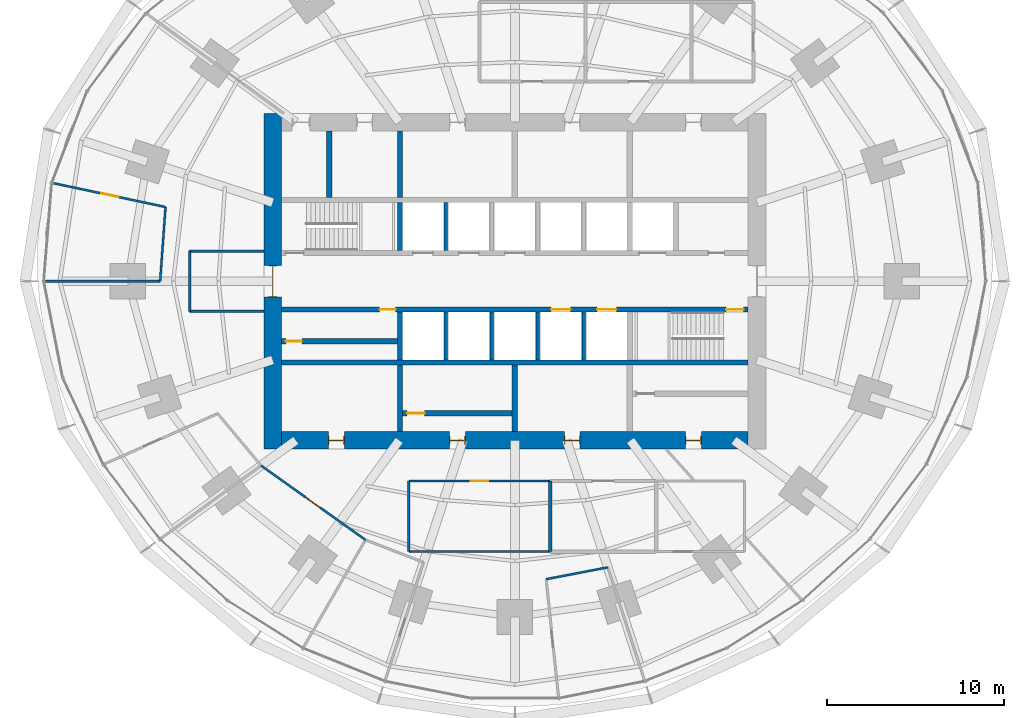
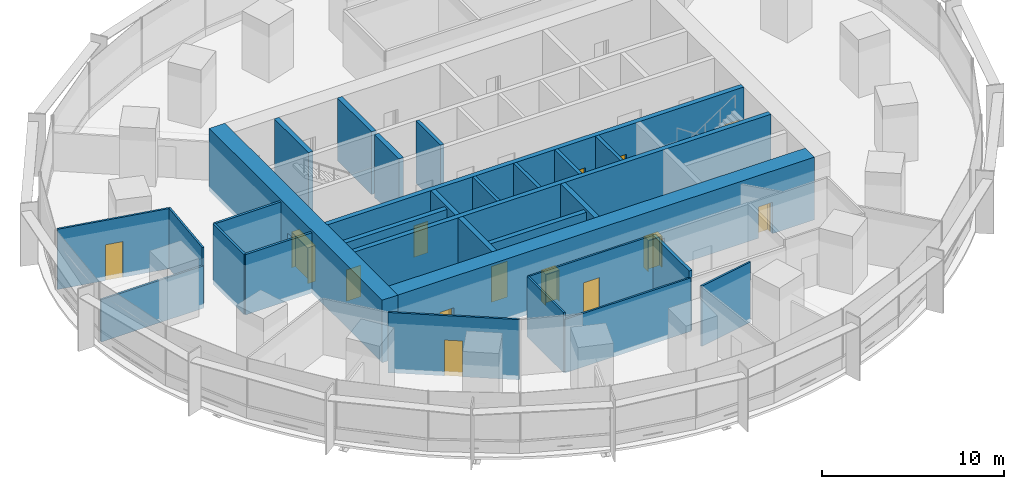
# One storey, part 11 of 15: 29 walls, 14 doors, 14 openings.
"""IFC4 building model written with IfcOpenShell, lengths in metres."""

from ifc_helpers import new_model, si_unit, direction, frame, frame_2d, origin, place, context, subcontext, project, spatial, rectangle, extrude, material, layer, layer_set, type_object, element, fill, save


model = new_model("IFC4")

# Units and contexts
model_context = context("Model", 3, precision=1e-05, world=origin(), true_north=direction((0.0, 1.0)))
body_context = subcontext(model_context, "Body", "Model", "MODEL_VIEW")
ifc_project = project(units=[si_unit("LENGTHUNIT", "METRE"), si_unit("AREAUNIT", "SQUARE_METRE"), si_unit("VOLUMEUNIT", "CUBIC_METRE"), si_unit("PLANEANGLEUNIT", "RADIAN"), si_unit("MASSUNIT", "GRAM", prefix="KILO")], contexts=[model_context])

# Site, building, storey
site_placement = place(None, origin())
site = spatial("IfcSite", under=ifc_project, at=site_placement, CompositionType="ELEMENT")
building_placement = place(site_placement, origin())
building = spatial("IfcBuilding", under=site, at=building_placement, Name="Marramba Exchange Tower", CompositionType="ELEMENT")
storey_placement = place(building_placement, frame((0.0, 0.0, 57.39990234375)))
storey = spatial("IfcBuildingStorey", under=building, at=storey_placement, Name="L13", CompositionType="ELEMENT", Elevation=57.39990234375)

# Walls
ifc_material_1 = material(Name="Concrete N50", Category="concrete")
ifc_layer_1 = layer(ifc_material_1, 0.199951171875)
ifc_layer_set_1 = layer_set([ifc_layer_1], Name="Core shaft wall 200")
wall_type_1 = type_object("IfcWallType", Name="Core shaft wall 200", PredefinedType="SHEAR", material=ifc_layer_set_1)
for number, where, z_axis, x_axis, name in (
    (1, (-3.89990234375, 1.75, 0.0), (0.0, 0.0, 1.0), (0.0, 1.0, 0.0), "Core wall SHN1 L13"),
    (2, (-3.89990234375, -1.75, 0.0), (0.0, 0.0, 1.0), (0.0, -1.0, 0.0), "Core wall SHS1 L13"),
    (3, (-1.300048828125, -1.75, 0.0), (0.0, 0.0, 1.0), (0.0, -1.0, 0.0), "Core wall SHS2 L13"),
    (4, (1.300048828125, -1.75, 0.0), (0.0, 0.0, 1.0), (0.0, -1.0, 0.0), "Core wall SHS3 L13"),
    (5, (3.89990234375, -1.75, 0.0), (0.0, 0.0, 1.0), (0.0, -1.0, 0.0), "Core wall SHS4 L13"),
):
    element("IfcWall", number, at=place(storey_placement, frame(where, z_axis=z_axis, x_axis=x_axis)), inside=storey, type_object=wall_type_1, Name=name, PredefinedType="SHEAR", context=body_context, shape_type="SweptSolid", body=[
        extrude(rectangle(XDim=2.699951171875, YDim=0.199951171875, at=frame_2d((1.35009765625, 0.0))), origin(), (0.0, 0.0, 1.0), 4.2001953125),
    ])

# Wall, openings, doors
ifc_layer_2 = layer(ifc_material_1, 1.0)
ifc_layer_set_2 = layer_set([ifc_layer_2], Name="Core wall 1000")
wall_type_2 = type_object("IfcWallType", Name="Core wall 1000", PredefinedType="SHEAR", material=ifc_layer_set_2)
wall_1_placement = place(storey_placement, frame((-13.199951171875, -9.0, 0.0), z_axis=(0.0, 0.0, 1.0), x_axis=(1.0, 0.0, 0.0)))
wall_1 = element("IfcWall", 6, at=wall_1_placement, inside=storey, type_object=wall_type_2, Name="Core wall S L13", PredefinedType="SHEAR", context=body_context, shape_type="SweptSolid", body=[
    extrude(rectangle(XDim=26.39990234375, YDim=1.0, at=frame_2d((13.199951171875, 0.0))), origin(), (0.0, 0.0, 1.0), 4.2001953125),
])
opening_1_placement = place(wall_1_placement, frame((2.64990234375, 0.0, 0.0)))
opening_1 = element("IfcOpeningElement", 7, at=opening_1_placement, cuts=wall_1, Name="Opening D5", PredefinedType="OPENING", context=body_context, shape_type="SweptSolid", body=[
    extrude(rectangle(XDim=0.89990234375, YDim=2.10009765625, at=frame_2d((0.449951171875, 1.050048828125))), frame((0.0, 0.510009765625, 0.0), z_axis=(0.0, -1.0, 0.0), x_axis=(1.0, 0.0, 0.0)), (0.0, 0.0, 1.0), 1.02001953125),
])
opening_2_placement = place(wall_1_placement, frame((9.5, 0.0, 0.0)))
opening_2 = element("IfcOpeningElement", 8, at=opening_2_placement, cuts=wall_1, Name="Opening D5", PredefinedType="OPENING", context=body_context, shape_type="SweptSolid", body=[
    extrude(rectangle(XDim=0.89990234375, YDim=2.10009765625, at=frame_2d((0.449951171875, 1.050048828125))), frame((0.0, 0.510009765625, 0.0), z_axis=(0.0, -1.0, 0.0), x_axis=(1.0, 0.0, 0.0)), (0.0, 0.0, 1.0), 1.02001953125),
])
opening_3_placement = place(wall_1_placement, frame((16.0, 0.0, 0.0)))
opening_3 = element("IfcOpeningElement", 9, at=opening_3_placement, cuts=wall_1, Name="Opening D5", PredefinedType="OPENING", context=body_context, shape_type="SweptSolid", body=[
    extrude(rectangle(XDim=0.89990234375, YDim=2.10009765625, at=frame_2d((0.449951171875, 1.050048828125))), frame((0.0, 0.510009765625, 0.0), z_axis=(0.0, -1.0, 0.0), x_axis=(1.0, 0.0, 0.0)), (0.0, 0.0, 1.0), 1.02001953125),
])
opening_4_placement = place(wall_1_placement, frame((22.85009765625, 0.0, 0.0)))
opening_4 = element("IfcOpeningElement", 10, at=opening_4_placement, cuts=wall_1, Name="Opening D5", PredefinedType="OPENING", context=body_context, shape_type="SweptSolid", body=[
    extrude(rectangle(XDim=0.89990234375, YDim=2.10009765625, at=frame_2d((0.449951171875, 1.050048828125))), frame((0.0, 0.510009765625, 0.0), z_axis=(0.0, -1.0, 0.0), x_axis=(1.0, 0.0, 0.0)), (0.0, 0.0, 1.0), 1.02001953125),
])
ifc_material_2 = material(Name="Steel-framed door", Category="steel")
door_type_1 = type_object("IfcDoorType", Name="Service door 900x2100", OperationType="SINGLE_SWING_LEFT", PredefinedType="DOOR", material=ifc_material_2)
door_1_placement = place(opening_1_placement, origin())
door_1 = element("IfcDoor", 11, at=door_1_placement, inside=storey, type_object=door_type_1, Name="D5 ahu L13", OperationType="SINGLE_SWING_LEFT", OverallHeight=2.10009765625, OverallWidth=0.89990234375, PredefinedType="DOOR", context=body_context, shape_type="SweptSolid", body=[
    extrude(rectangle(XDim=0.81982421875, YDim=2.06005859375, at=frame_2d((0.449951171875, 1.030029296875))), frame((0.0, 0.02490234375, 0.0), z_axis=(0.0, -1.0, 0.0), x_axis=(1.0, 0.0, 0.0)), (0.0, 0.0, 1.0), 0.050048828125),
    extrude(rectangle(XDim=0.04, YDim=2.10009765625, at=frame_2d((0.02001953125, 1.050048828125))), frame((0.0, 0.25, 0.0), z_axis=(0.0, -1.0, 0.0), x_axis=(1.0, 0.0, 0.0)), (0.0, 0.0, 1.0), 0.5),
    extrude(rectangle(XDim=0.04, YDim=2.10009765625, at=frame_2d((0.8798828125, 1.050048828125))), frame((0.0, 0.25, 0.0), z_axis=(0.0, -1.0, 0.0), x_axis=(1.0, 0.0, 0.0)), (0.0, 0.0, 1.0), 0.5),
    extrude(rectangle(XDim=0.81982421875, YDim=0.04, at=frame_2d((0.449951171875, 2.080078125))), frame((0.0, 0.25, 0.0), z_axis=(0.0, -1.0, 0.0), x_axis=(1.0, 0.0, 0.0)), (0.0, 0.0, 1.0), 0.5),
])
fill(opening_1, door_1)
door_2_placement = place(opening_2_placement, origin())
door_2 = element("IfcDoor", 12, at=door_2_placement, inside=storey, type_object=door_type_1, Name="D5 store L13", OperationType="SINGLE_SWING_RIGHT", OverallHeight=2.10009765625, OverallWidth=0.89990234375, PredefinedType="DOOR", context=body_context, shape_type="SweptSolid", body=[
    extrude(rectangle(XDim=0.81982421875, YDim=2.06005859375, at=frame_2d((0.449951171875, 1.030029296875))), frame((0.0, 0.02490234375, 0.0), z_axis=(0.0, -1.0, 0.0), x_axis=(1.0, 0.0, 0.0)), (0.0, 0.0, 1.0), 0.050048828125),
    extrude(rectangle(XDim=0.04, YDim=2.10009765625, at=frame_2d((0.02001953125, 1.050048828125))), frame((0.0, 0.25, 0.0), z_axis=(0.0, -1.0, 0.0), x_axis=(1.0, 0.0, 0.0)), (0.0, 0.0, 1.0), 0.5),
    extrude(rectangle(XDim=0.04, YDim=2.10009765625, at=frame_2d((0.8798828125, 1.050048828125))), frame((0.0, 0.25, 0.0), z_axis=(0.0, -1.0, 0.0), x_axis=(1.0, 0.0, 0.0)), (0.0, 0.0, 1.0), 0.5),
    extrude(rectangle(XDim=0.81982421875, YDim=0.04, at=frame_2d((0.449951171875, 2.080078125))), frame((0.0, 0.25, 0.0), z_axis=(0.0, -1.0, 0.0), x_axis=(1.0, 0.0, 0.0)), (0.0, 0.0, 1.0), 0.5),
])
fill(opening_2, door_2)
door_3_placement = place(opening_3_placement, origin())
door_3 = element("IfcDoor", 13, at=door_3_placement, inside=storey, type_object=door_type_1, Name="D5 switch L13", OperationType="SINGLE_SWING_RIGHT", OverallHeight=2.10009765625, OverallWidth=0.89990234375, PredefinedType="DOOR", context=body_context, shape_type="SweptSolid", body=[
    extrude(rectangle(XDim=0.81982421875, YDim=2.06005859375, at=frame_2d((0.449951171875, 1.030029296875))), frame((0.0, 0.02490234375, 0.0), z_axis=(0.0, -1.0, 0.0), x_axis=(1.0, 0.0, 0.0)), (0.0, 0.0, 1.0), 0.050048828125),
    extrude(rectangle(XDim=0.04, YDim=2.10009765625, at=frame_2d((0.02001953125, 1.050048828125))), frame((0.0, 0.25, 0.0), z_axis=(0.0, -1.0, 0.0), x_axis=(1.0, 0.0, 0.0)), (0.0, 0.0, 1.0), 0.5),
    extrude(rectangle(XDim=0.04, YDim=2.10009765625, at=frame_2d((0.8798828125, 1.050048828125))), frame((0.0, 0.25, 0.0), z_axis=(0.0, -1.0, 0.0), x_axis=(1.0, 0.0, 0.0)), (0.0, 0.0, 1.0), 0.5),
    extrude(rectangle(XDim=0.81982421875, YDim=0.04, at=frame_2d((0.449951171875, 2.080078125))), frame((0.0, 0.25, 0.0), z_axis=(0.0, -1.0, 0.0), x_axis=(1.0, 0.0, 0.0)), (0.0, 0.0, 1.0), 0.5),
])
fill(opening_3, door_3)
door_4_placement = place(opening_4_placement, origin())
door_4 = element("IfcDoor", 14, at=door_4_placement, inside=storey, type_object=door_type_1, Name="D5 cstore L13", OperationType="SINGLE_SWING_RIGHT", OverallHeight=2.10009765625, OverallWidth=0.89990234375, PredefinedType="DOOR", context=body_context, shape_type="SweptSolid", body=[
    extrude(rectangle(XDim=0.81982421875, YDim=2.06005859375, at=frame_2d((0.449951171875, 1.030029296875))), frame((0.0, 0.02490234375, 0.0), z_axis=(0.0, -1.0, 0.0), x_axis=(1.0, 0.0, 0.0)), (0.0, 0.0, 1.0), 0.050048828125),
    extrude(rectangle(XDim=0.04, YDim=2.10009765625, at=frame_2d((0.02001953125, 1.050048828125))), frame((0.0, 0.25, 0.0), z_axis=(0.0, -1.0, 0.0), x_axis=(1.0, 0.0, 0.0)), (0.0, 0.0, 1.0), 0.5),
    extrude(rectangle(XDim=0.04, YDim=2.10009765625, at=frame_2d((0.8798828125, 1.050048828125))), frame((0.0, 0.25, 0.0), z_axis=(0.0, -1.0, 0.0), x_axis=(1.0, 0.0, 0.0)), (0.0, 0.0, 1.0), 0.5),
    extrude(rectangle(XDim=0.81982421875, YDim=0.04, at=frame_2d((0.449951171875, 2.080078125))), frame((0.0, 0.25, 0.0), z_axis=(0.0, -1.0, 0.0), x_axis=(1.0, 0.0, 0.0)), (0.0, 0.0, 1.0), 0.5),
])
fill(opening_4, door_4)

# Wall, opening, door
wall_2_placement = place(storey_placement, frame((-13.699951171875, 9.5, 0.0), z_axis=(0.0, 0.0, 1.0), x_axis=(0.0, -1.0, 0.0)))
wall_2 = element("IfcWall", 15, at=wall_2_placement, inside=storey, type_object=wall_type_2, Name="Core wall W L13", PredefinedType="SHEAR", context=body_context, shape_type="SweptSolid", body=[
    extrude(rectangle(XDim=19.0, YDim=1.0, at=frame_2d((9.5, 0.0))), origin(), (0.0, 0.0, 1.0), 4.2001953125),
])
opening_5_placement = place(wall_2_placement, frame((8.60009765625, 0.0, 0.0)))
opening_5 = element("IfcOpeningElement", 16, at=opening_5_placement, cuts=wall_2, Name="Opening D1", PredefinedType="OPENING", context=body_context, shape_type="SweptSolid", body=[
    extrude(rectangle(XDim=1.800048828125, YDim=2.39990234375, at=frame_2d((0.89990234375, 1.199951171875))), frame((0.0, 0.510009765625, 0.0), z_axis=(0.0, -1.0, 0.0), x_axis=(1.0, 0.0, 0.0)), (0.0, 0.0, 1.0), 1.02001953125),
])
door_type_2 = type_object("IfcDoorType", Name="Lobby exit door 1800x2400", OperationType="DOUBLE_DOOR_SINGLE_SWING", PredefinedType="DOOR", material=ifc_material_2)
door_5_placement = place(opening_5_placement, frame((1.800048828125, 0.0, 0.0), z_axis=(0.0, 0.0, 1.0), x_axis=(-1.0, 0.0, 0.0)))
door_5 = element("IfcDoor", 17, at=door_5_placement, inside=storey, type_object=door_type_2, Name="D1 lobby exit west L13", OperationType="DOUBLE_DOOR_SINGLE_SWING", OverallHeight=2.39990234375, OverallWidth=1.800048828125, PredefinedType="DOOR", context=body_context, shape_type="SweptSolid", body=[
    extrude(rectangle(XDim=1.719970703125, YDim=2.35986328125, at=frame_2d((0.900146484375, 1.179931640625))), frame((0.0, 0.025146484375, 0.0), z_axis=(0.0, -1.0, 0.0), x_axis=(1.0, 0.0, 0.0)), (0.0, 0.0, 1.0), 0.050048828125),
    extrude(rectangle(XDim=0.04, YDim=2.39990234375, at=frame_2d((1.780029296875, 1.199951171875))), frame((0.0, 0.25, 0.0), z_axis=(0.0, -1.0, 0.0), x_axis=(1.0, 0.0, 0.0)), (0.0, 0.0, 1.0), 0.5),
    extrude(rectangle(XDim=0.04, YDim=2.39990234375, at=frame_2d((0.02001953125, 1.199951171875))), frame((0.0, 0.25, 0.0), z_axis=(0.0, -1.0, 0.0), x_axis=(1.0, 0.0, 0.0)), (0.0, 0.0, 1.0), 0.5),
    extrude(rectangle(XDim=1.719970703125, YDim=0.04, at=frame_2d((0.900146484375, 2.3798828125))), frame((0.0, 0.25, 0.0), z_axis=(0.0, -1.0, 0.0), x_axis=(1.0, 0.0, 0.0)), (0.0, 0.0, 1.0), 0.5),
])
fill(opening_5, door_5)

# Wall, openings, doors
ifc_layer_3 = layer(ifc_material_1, 0.300048828125)
ifc_layer_set_3 = layer_set([ifc_layer_3], Name="Core wall 300")
wall_type_3 = type_object("IfcWallType", Name="Core wall 300", PredefinedType="SHEAR", material=ifc_layer_set_3)
wall_3_placement = place(storey_placement, frame((-13.199951171875, -1.60009765625, 0.0), z_axis=(0.0, 0.0, 1.0), x_axis=(1.0, 0.0, 0.0)))
wall_3 = element("IfcWall", 18, at=wall_3_placement, inside=storey, type_object=wall_type_3, Name="Core wall LS L13", PredefinedType="SHEAR", context=body_context, shape_type="SweptSolid", body=[
    extrude(rectangle(XDim=26.39990234375, YDim=0.300048828125, at=frame_2d((13.199951171875, 0.0))), origin(), (0.0, 0.0, 1.0), 4.2001953125),
])
opening_6_placement = place(wall_3_placement, frame((25.14990234375, 0.0, 0.0)))
opening_6 = element("IfcOpeningElement", 19, at=opening_6_placement, cuts=wall_3, Name="Opening D2", PredefinedType="OPENING", context=body_context, shape_type="SweptSolid", body=[
    extrude(rectangle(XDim=1.0, YDim=2.10009765625, at=frame_2d((0.5, 1.050048828125))), frame((0.0, 0.159912109375, 0.0), z_axis=(0.0, -1.0, 0.0), x_axis=(1.0, 0.0, 0.0)), (0.0, 0.0, 1.0), 0.320068359375),
])
opening_7_placement = place(wall_3_placement, frame((15.25, 0.0, 0.0)))
opening_7 = element("IfcOpeningElement", 20, at=opening_7_placement, cuts=wall_3, Name="Opening LD2", PredefinedType="OPENING", context=body_context, shape_type="SweptSolid", body=[
    extrude(rectangle(XDim=1.10009765625, YDim=2.300048828125, at=frame_2d((0.550048828125, 1.14990234375))), frame((0.0, 0.159912109375, 0.0), z_axis=(0.0, -1.0, 0.0), x_axis=(1.0, 0.0, 0.0)), (0.0, 0.0, 1.0), 0.320068359375),
])
opening_8_placement = place(wall_3_placement, frame((17.85009765625, 0.0, 0.0)))
opening_8 = element("IfcOpeningElement", 21, at=opening_8_placement, cuts=wall_3, Name="Opening LD2", PredefinedType="OPENING", context=body_context, shape_type="SweptSolid", body=[
    extrude(rectangle(XDim=1.10009765625, YDim=2.300048828125, at=frame_2d((0.550048828125, 1.14990234375))), frame((0.0, 0.159912109375, 0.0), z_axis=(0.0, -1.0, 0.0), x_axis=(1.0, 0.0, 0.0)), (0.0, 0.0, 1.0), 0.320068359375),
])
opening_9_placement = place(wall_3_placement, frame((5.550048828125, 0.0, 0.0)))
opening_9 = element("IfcOpeningElement", 22, at=opening_9_placement, cuts=wall_3, Name="Opening D5", PredefinedType="OPENING", context=body_context, shape_type="SweptSolid", body=[
    extrude(rectangle(XDim=0.89990234375, YDim=2.10009765625, at=frame_2d((0.449951171875, 1.050048828125))), frame((0.0, 0.159912109375, 0.0), z_axis=(0.0, -1.0, 0.0), x_axis=(1.0, 0.0, 0.0)), (0.0, 0.0, 1.0), 0.320068359375),
])
door_type_3 = type_object("IfcDoorType", Name="Emergency lift landing door 1100x2300", OperationType="SLIDING_TO_LEFT", PredefinedType="DOOR", material=ifc_material_2)
door_6_placement = place(opening_7_placement, frame((1.10009765625, 0.0, 0.0), z_axis=(0.0, 0.0, 1.0), x_axis=(-1.0, 0.0, 0.0)))
door_6 = element("IfcDoor", 23, at=door_6_placement, inside=storey, type_object=door_type_3, Name="FL1 landing door L13", OperationType="SLIDING_TO_RIGHT", OverallHeight=2.300048828125, OverallWidth=1.10009765625, PredefinedType="DOOR", context=body_context, shape_type="SweptSolid", body=[
    extrude(rectangle(XDim=1.10009765625, YDim=2.300048828125, at=frame_2d((0.550048828125, 1.14990234375))), frame((0.0, 0.025146484375, 0.0), z_axis=(0.0, -1.0, 0.0), x_axis=(1.0, 0.0, 0.0)), (0.0, 0.0, 1.0), 0.050048828125),
])
fill(opening_7, door_6)
door_7_placement = place(opening_8_placement, frame((1.10009765625, 0.0, 0.0), z_axis=(0.0, 0.0, 1.0), x_axis=(-1.0, 0.0, 0.0)))
door_7 = element("IfcDoor", 24, at=door_7_placement, inside=storey, type_object=door_type_3, Name="FL2 landing door L13", OperationType="SLIDING_TO_LEFT", OverallHeight=2.300048828125, OverallWidth=1.10009765625, PredefinedType="DOOR", context=body_context, shape_type="SweptSolid", body=[
    extrude(rectangle(XDim=1.10009765625, YDim=2.300048828125, at=frame_2d((0.550048828125, 1.14990234375))), frame((0.0, 0.025146484375, 0.0), z_axis=(0.0, -1.0, 0.0), x_axis=(1.0, 0.0, 0.0)), (0.0, 0.0, 1.0), 0.050048828125),
])
fill(opening_8, door_7)
door_8_placement = place(opening_9_placement, frame((0.89990234375, 0.0, 0.0), z_axis=(0.0, 0.0, 1.0), x_axis=(-1.0, 0.0, 0.0)))
door_8 = element("IfcDoor", 25, at=door_8_placement, inside=storey, type_object=door_type_1, Name="D5 electrical riser L13", OperationType="SINGLE_SWING_LEFT", OverallHeight=2.10009765625, OverallWidth=0.89990234375, PredefinedType="DOOR", context=body_context, shape_type="SweptSolid", body=[
    extrude(rectangle(XDim=0.89990234375, YDim=2.10009765625, at=frame_2d((0.449951171875, 1.050048828125))), frame((0.0, 0.025146484375, 0.0), z_axis=(0.0, -1.0, 0.0), x_axis=(1.0, 0.0, 0.0)), (0.0, 0.0, 1.0), 0.050048828125),
])
fill(opening_9, door_8)
door_type_4 = type_object("IfcDoorType", Name="Stair door 1000x2100", OperationType="SINGLE_SWING_LEFT", PredefinedType="DOOR", material=ifc_material_2)
door_9_placement = place(opening_6_placement, frame((1.0, 0.0, 0.0), z_axis=(0.0, 0.0, 1.0), x_axis=(-1.0, 0.0, 0.0)))
door_9 = element("IfcDoor", 26, at=door_9_placement, inside=storey, type_object=door_type_4, Name="D2 stair ST2 L13", OperationType="SINGLE_SWING_LEFT", OverallHeight=2.10009765625, OverallWidth=1.0, PredefinedType="DOOR", context=body_context, shape_type="SweptSolid", body=[
    extrude(rectangle(XDim=1.0, YDim=2.10009765625, at=frame_2d((0.5, 1.050048828125))), frame((0.0, 0.025146484375, 0.0), z_axis=(0.0, -1.0, 0.0), x_axis=(1.0, 0.0, 0.0)), (0.0, 0.0, 1.0), 0.050048828125),
])
fill(opening_6, door_9)

# Walls
wall_4_placement = place(storey_placement, frame((-13.199951171875, -4.60009765625, 0.0), z_axis=(0.0, 0.0, 1.0), x_axis=(1.0, 0.0, 0.0)))
element("IfcWall", 27, at=wall_4_placement, inside=storey, type_object=wall_type_3, Name="Core wall BS L13", PredefinedType="SHEAR", context=body_context, shape_type="SweptSolid", body=[
    extrude(rectangle(XDim=26.39990234375, YDim=0.300048828125, at=frame_2d((13.199951171875, 0.0))), origin(), (0.0, 0.0, 1.0), 4.2001953125),
])
wall_5_placement = place(storey_placement, frame((-6.5, 1.75, 0.0), z_axis=(0.0, 0.0, 1.0), x_axis=(0.0, 1.0, 0.0)))
element("IfcWall", 28, at=wall_5_placement, inside=storey, type_object=wall_type_3, Name="Core wall X0Na L13", PredefinedType="SHEAR", context=body_context, shape_type="SweptSolid", body=[
    extrude(rectangle(XDim=2.699951171875, YDim=0.300048828125, at=frame_2d((1.35009765625, 0.0))), origin(), (0.0, 0.0, 1.0), 4.2001953125),
])
wall_6_placement = place(storey_placement, frame((-6.5, 4.75, 0.0), z_axis=(0.0, 0.0, 1.0), x_axis=(0.0, 1.0, 0.0)))
element("IfcWall", 29, at=wall_6_placement, inside=storey, type_object=wall_type_3, Name="Core wall X0Nb L13", PredefinedType="SHEAR", context=body_context, shape_type="SweptSolid", body=[
    extrude(rectangle(XDim=3.75, YDim=0.300048828125, at=frame_2d((1.875, 0.0))), origin(), (0.0, 0.0, 1.0), 4.2001953125),
])
wall_7_placement = place(storey_placement, frame((-6.5, -1.75, 0.0), z_axis=(0.0, 0.0, 1.0), x_axis=(0.0, -1.0, 0.0)))
element("IfcWall", 30, at=wall_7_placement, inside=storey, type_object=wall_type_3, Name="Core wall X0Sa L13", PredefinedType="SHEAR", context=body_context, shape_type="SweptSolid", body=[
    extrude(rectangle(XDim=2.699951171875, YDim=0.300048828125, at=frame_2d((1.35009765625, 0.0))), origin(), (0.0, 0.0, 1.0), 4.2001953125),
])
for number, where, z_axis, x_axis, name in (
    (31, (-6.5, -4.75, 0.0), (0.0, 0.0, 1.0), (0.0, -1.0, 0.0), "Core wall X0Sb L13"),
    (32, (0.0, -4.75, 0.0), (0.0, 0.0, 1.0), (0.0, -1.0, 0.0), "Core wall MS L13"),
    (33, (-10.5, 4.75, 0.0), (0.0, 0.0, 1.0), (0.0, 1.0, 0.0), "Core wall WD L13"),
):
    element("IfcWall", number, at=place(storey_placement, frame(where, z_axis=z_axis, x_axis=x_axis)), inside=storey, type_object=wall_type_3, Name=name, PredefinedType="SHEAR", context=body_context, shape_type="SweptSolid", body=[
        extrude(rectangle(XDim=3.75, YDim=0.300048828125, at=frame_2d((1.875, 0.0))), origin(), (0.0, 0.0, 1.0), 4.2001953125),
    ])
ifc_material_3 = material(Name="Core-filled concrete blockwork, rendered", Category="masonry")
ifc_layer_4 = layer(ifc_material_3, 0.18994140625)
ifc_layer_set_4 = layer_set([ifc_layer_4], Name="Equipment room wall 190")
wall_type_4 = type_object("IfcWallType", Name="Equipment room wall 190", PredefinedType="SOLIDWALL", material=ifc_layer_set_4)
wall_8_placement = place(storey_placement, frame((2.0, -11.300048828125, 0.0), z_axis=(0.0, 0.0, 1.0), x_axis=(0.0, -1.0, 0.0)))
element("IfcWall", 34, at=wall_8_placement, inside=storey, type_object=wall_type_4, Name="Equipment room wall L13 13", PredefinedType="SOLIDWALL", context=body_context, shape_type="SweptSolid", body=[
    extrude(rectangle(XDim=4.0, YDim=0.18994140625, at=frame_2d((2.0, 0.0))), origin(), (0.0, 0.0, 1.0), 4.0400390625),
])

# Wall, opening, door
ifc_material_4 = material(Name="Plasterboard on steel studs", Category="steel")
ifc_layer_5 = layer(ifc_material_4, 0.1201171875)
ifc_layer_set_5 = layer_set([ifc_layer_5], Name="Partition 120")
wall_type_5 = type_object("IfcWallType", Name="Partition 120", PredefinedType="PARTITIONING", material=ifc_layer_set_5)
wall_9_placement = place(storey_placement, frame((-8.44921875, -14.634521484375, 0.0), z_axis=(0.0, 0.0, 1.0), x_axis=(-0.814853539304, 0.57966689528, 0.0)))
wall_9 = element("IfcWall", 35, at=wall_9_placement, inside=storey, type_object=wall_type_5, Name="Partition L13 05", PredefinedType="PARTITIONING", context=body_context, shape_type="SweptSolid", body=[
    extrude(rectangle(XDim=7.2509765625, YDim=0.1201171875, at=frame_2d((3.62548828125, 0.0))), origin(), (0.0, 0.0, 1.0), 4.0400390625),
])
opening_10_placement = place(wall_9_placement, frame((3.14990234375, 0.0, 0.0)))
opening_10 = element("IfcOpeningElement", 36, at=opening_10_placement, cuts=wall_9, Name="Opening D9", PredefinedType="OPENING", context=body_context, shape_type="SweptSolid", body=[
    extrude(rectangle(XDim=1.0, YDim=2.39990234375, at=frame_2d((0.5, 1.199951171875))), frame((0.0, 0.070068359375, 0.0), z_axis=(0.0, -1.0, 0.0), x_axis=(1.0, 0.0, 0.0)), (0.0, 0.0, 1.0), 0.14013671875),
])
ifc_material_5 = material(Name="Timber door", Category="wood")
door_type_5 = type_object("IfcDoorType", Name="Room door 1000x2400", OperationType="SINGLE_SWING_LEFT", PredefinedType="DOOR", material=ifc_material_5)
door_10_placement = place(opening_10_placement, origin())
door_10 = element("IfcDoor", 37, at=door_10_placement, inside=storey, type_object=door_type_5, Name="D9 Head of Desk Office 2 L13", OperationType="SINGLE_SWING_RIGHT", OverallHeight=2.39990234375, OverallWidth=1.0, PredefinedType="DOOR", context=body_context, shape_type="SweptSolid", body=[
    extrude(rectangle(XDim=1.0, YDim=2.39990234375, at=frame_2d((0.5, 1.199951171875))), frame((0.0, 0.02490234375, 0.0), z_axis=(0.0, -1.0, 0.0), x_axis=(1.0, 0.0, 0.0)), (0.0, 0.0, 1.0), 0.050048828125),
])
fill(opening_10, door_10)

# Wall
wall_10_placement = place(storey_placement, frame((-6.0, -11.300048828125, 0.0), z_axis=(0.0, 0.0, 1.0), x_axis=(0.0, -1.0, 0.0)))
element("IfcWall", 38, at=wall_10_placement, inside=storey, type_object=wall_type_5, Name="Partition L13 07", PredefinedType="PARTITIONING", context=body_context, shape_type="SweptSolid", body=[
    extrude(rectangle(XDim=4.0, YDim=0.1201171875, at=frame_2d((2.0, 0.0))), origin(), (0.0, 0.0, 1.0), 4.0400390625),
])

# Wall, opening, door
wall_11_placement = place(storey_placement, frame((2.0, -11.300048828125, 0.0), z_axis=(0.0, 0.0, 1.0), x_axis=(-1.0, 0.0, 0.0)))
wall_11 = element("IfcWall", 39, at=wall_11_placement, inside=storey, type_object=wall_type_5, Name="Partition L13 10", PredefinedType="PARTITIONING", context=body_context, shape_type="SweptSolid", body=[
    extrude(rectangle(XDim=8.0, YDim=0.1201171875, at=frame_2d((4.0, 0.0))), origin(), (0.0, 0.0, 1.0), 4.0400390625),
])
opening_11_placement = place(wall_11_placement, frame((3.5, 0.0, 0.0)))
opening_11 = element("IfcOpeningElement", 40, at=opening_11_placement, cuts=wall_11, Name="Opening D9", PredefinedType="OPENING", context=body_context, shape_type="SweptSolid", body=[
    extrude(rectangle(XDim=1.0, YDim=2.39990234375, at=frame_2d((0.5, 1.199951171875))), frame((0.0, 0.070068359375, 0.0), z_axis=(0.0, -1.0, 0.0), x_axis=(1.0, 0.0, 0.0)), (0.0, 0.0, 1.0), 0.14013671875),
])
door_11_placement = place(opening_11_placement, origin())
door_11 = element("IfcDoor", 41, at=door_11_placement, inside=storey, type_object=door_type_5, Name="D9 Pantry L13", OperationType="SINGLE_SWING_RIGHT", OverallHeight=2.39990234375, OverallWidth=1.0, PredefinedType="DOOR", context=body_context, shape_type="SweptSolid", body=[
    extrude(rectangle(XDim=1.0, YDim=2.39990234375, at=frame_2d((0.5, 1.199951171875))), frame((0.0, 0.02490234375, 0.0), z_axis=(0.0, -1.0, 0.0), x_axis=(1.0, 0.0, 0.0)), (0.0, 0.0, 1.0), 0.050048828125),
])
fill(opening_11, door_11)

# Walls
wall_12_placement = place(storey_placement, frame((-6.0, -15.300048828125, 0.0), z_axis=(0.0, 0.0, 1.0), x_axis=(1.0, 0.0, 0.0)))
element("IfcWall", 42, at=wall_12_placement, inside=storey, type_object=wall_type_5, Name="Partition L13 11", PredefinedType="PARTITIONING", context=body_context, shape_type="SweptSolid", body=[
    extrude(rectangle(XDim=8.0, YDim=0.1201171875, at=frame_2d((4.0, 0.0))), origin(), (0.0, 0.0, 1.0), 3.586181640625),
])
wall_13_placement = place(storey_placement, frame((5.259765625, -16.18798828125, 0.0), z_axis=(0.0, 0.0, 1.0), x_axis=(-0.982089213151, -0.188416499842, 0.0)))
element("IfcWall", 43, at=wall_13_placement, inside=storey, type_object=wall_type_5, Name="Partition L13 14", PredefinedType="PARTITIONING", context=body_context, shape_type="SweptSolid", body=[
    extrude(rectangle(XDim=3.5517578125, YDim=0.1201171875, at=frame_2d((1.77587890625, 0.0))), origin(), (0.0, 0.0, 1.0), 4.0400390625),
])

# Wall, opening, door
wall_14_placement = place(storey_placement, frame((-19.765380859375, 4.201171875, 0.0), z_axis=(0.0, 0.0, 1.0), x_axis=(-0.978143001923, 0.207933325345, 0.0)))
wall_14 = element("IfcWall", 44, at=wall_14_placement, inside=storey, type_object=wall_type_5, Name="Partition L13 31", PredefinedType="PARTITIONING", context=body_context, shape_type="SweptSolid", body=[
    extrude(rectangle(XDim=6.5, YDim=0.1201171875, at=frame_2d((3.25, 0.0))), origin(), (0.0, 0.0, 1.0), 4.0400390625),
])
opening_12_placement = place(wall_14_placement, frame((2.72509765625, 0.0, 0.0)))
opening_12 = element("IfcOpeningElement", 45, at=opening_12_placement, cuts=wall_14, Name="Opening D9", PredefinedType="OPENING", context=body_context, shape_type="SweptSolid", body=[
    extrude(rectangle(XDim=1.0, YDim=2.39990234375, at=frame_2d((0.5, 1.199951171875))), frame((0.0, 0.070068359375, 0.0), z_axis=(0.0, -1.0, 0.0), x_axis=(1.0, 0.0, 0.0)), (0.0, 0.0, 1.0), 0.14013671875),
])
door_12_placement = place(opening_12_placement, origin())
door_12 = element("IfcDoor", 46, at=door_12_placement, inside=storey, type_object=door_type_5, Name="D9 Compliance Office L13", OperationType="SINGLE_SWING_RIGHT", OverallHeight=2.39990234375, OverallWidth=1.0, PredefinedType="DOOR", context=body_context, shape_type="SweptSolid", body=[
    extrude(rectangle(XDim=1.0, YDim=2.39990234375, at=frame_2d((0.5, 1.199951171875))), frame((0.0, 0.02490234375, 0.0), z_axis=(0.0, -1.0, 0.0), x_axis=(1.0, 0.0, 0.0)), (0.0, 0.0, 1.0), 0.050048828125),
])
fill(opening_12, door_12)

# Walls
wall_15_placement = place(storey_placement, frame((-20.070068359375, 0.0, 0.0), z_axis=(0.0, 0.0, 1.0), x_axis=(0.072334424812, 0.997380434432, 0.0)))
element("IfcWall", 47, at=wall_15_placement, inside=storey, type_object=wall_type_5, Name="Partition L13 32", PredefinedType="PARTITIONING", context=body_context, shape_type="SweptSolid", body=[
    extrude(rectangle(XDim=4.212158203125, YDim=0.1201171875, at=frame_2d((2.10595703125, 0.0))), origin(), (0.0, 0.0, 1.0), 4.0400390625),
])
wall_16_placement = place(storey_placement, frame((-26.570068359375, 0.0, 0.0), z_axis=(0.0, 0.0, 1.0), x_axis=(1.0, 0.0, 0.0)))
element("IfcWall", 48, at=wall_16_placement, inside=storey, type_object=wall_type_5, Name="Partition L13 34", PredefinedType="PARTITIONING", context=body_context, shape_type="SweptSolid", body=[
    extrude(rectangle(XDim=6.5, YDim=0.1201171875, at=frame_2d((3.25, 0.0))), origin(), (0.0, 0.0, 1.0), 2.840087890625),
])

# Wall, opening, door
ifc_material_6 = material(Name="Core-filled concrete blockwork", Category="masonry")
ifc_layer_6 = layer(ifc_material_6, 0.300048828125)
ifc_layer_set_6 = layer_set([ifc_layer_6], Name="Riser enclosure wall 300")
wall_type_6 = type_object("IfcWallType", Name="Riser enclosure wall 300", PredefinedType="SOLIDWALL", material=ifc_layer_set_6)
wall_17_placement = place(storey_placement, frame((-13.199951171875, -3.39990234375, 0.0), z_axis=(0.0, 0.0, 1.0), x_axis=(1.0, 0.0, 0.0)))
wall_17 = element("IfcWall", 49, at=wall_17_placement, inside=storey, type_object=wall_type_6, Name="Riser enclosure wall L13", PredefinedType="SOLIDWALL", context=body_context, shape_type="SweptSolid", body=[
    extrude(rectangle(XDim=6.550048828125, YDim=0.300048828125, at=frame_2d((3.27490234375, 0.0))), origin(), (0.0, 0.0, 1.0), 4.0400390625),
])
opening_13_placement = place(wall_17_placement, frame((0.25, 0.0, 0.0)))
opening_13 = element("IfcOpeningElement", 50, at=opening_13_placement, cuts=wall_17, Name="Opening D5", PredefinedType="OPENING", context=body_context, shape_type="SweptSolid", body=[
    extrude(rectangle(XDim=0.89990234375, YDim=2.10009765625, at=frame_2d((0.449951171875, 1.050048828125))), frame((0.0, 0.159912109375, 0.0), z_axis=(0.0, -1.0, 0.0), x_axis=(1.0, 0.0, 0.0)), (0.0, 0.0, 1.0), 0.320068359375),
])
door_13_placement = place(opening_13_placement, frame((0.89990234375, 0.0, 0.0), z_axis=(0.0, 0.0, 1.0), x_axis=(-1.0, 0.0, 0.0)))
door_13 = element("IfcDoor", 51, at=door_13_placement, inside=storey, type_object=door_type_1, Name="D5 electrical riser back L13", OperationType="SINGLE_SWING_RIGHT", OverallHeight=2.10009765625, OverallWidth=0.89990234375, PredefinedType="DOOR", context=body_context, shape_type="SweptSolid", body=[
    extrude(rectangle(XDim=0.89990234375, YDim=2.10009765625, at=frame_2d((0.449951171875, 1.050048828125))), frame((0.0, 0.025146484375, 0.0), z_axis=(0.0, -1.0, 0.0), x_axis=(1.0, 0.0, 0.0)), (0.0, 0.0, 1.0), 0.050048828125),
])
fill(opening_13, door_13)

ifc_material_7 = material(Name="Plasterboard on steel studs, insulated, unrated", Category="steel")
ifc_layer_7 = layer(ifc_material_7, 0.300048828125)
ifc_layer_set_7 = layer_set([ifc_layer_7], Name="Store partition 300")
wall_type_7 = type_object("IfcWallType", Name="Store partition 300", PredefinedType="PARTITIONING", material=ifc_layer_set_7)
wall_18_placement = place(storey_placement, frame((-6.35009765625, -7.4599609375, 0.0), z_axis=(0.0, 0.0, 1.0), x_axis=(1.0, 0.0, 0.0)))
wall_18 = element("IfcWall", 52, at=wall_18_placement, inside=storey, type_object=wall_type_7, Name="Store partition L13 store", PredefinedType="PARTITIONING", context=body_context, shape_type="SweptSolid", body=[
    extrude(rectangle(XDim=6.2001953125, YDim=0.300048828125, at=frame_2d((3.10009765625, 0.0))), origin(), (0.0, 0.0, 1.0), 4.0400390625),
])
opening_14_placement = place(wall_18_placement, frame((0.25, 0.0, 0.0)))
opening_14 = element("IfcOpeningElement", 53, at=opening_14_placement, cuts=wall_18, Name="Opening D9", PredefinedType="OPENING", context=body_context, shape_type="SweptSolid", body=[
    extrude(rectangle(XDim=1.0, YDim=2.39990234375, at=frame_2d((0.5, 1.199951171875))), frame((0.0, 0.159912109375, 0.0), z_axis=(0.0, -1.0, 0.0), x_axis=(1.0, 0.0, 0.0)), (0.0, 0.0, 1.0), 0.320068359375),
])
door_14_placement = place(opening_14_placement, frame((1.0, 0.0, 0.0), z_axis=(0.0, 0.0, 1.0), x_axis=(-1.0, 0.0, 0.0)))
door_14 = element("IfcDoor", 54, at=door_14_placement, inside=storey, type_object=door_type_5, Name="D9 stationery store L13", OperationType="SINGLE_SWING_RIGHT", OverallHeight=2.39990234375, OverallWidth=1.0, PredefinedType="DOOR", context=body_context, shape_type="SweptSolid", body=[
    extrude(rectangle(XDim=1.0, YDim=2.39990234375, at=frame_2d((0.5, 1.199951171875))), frame((0.0, 0.025146484375, 0.0), z_axis=(0.0, -1.0, 0.0), x_axis=(1.0, 0.0, 0.0)), (0.0, 0.0, 1.0), 0.050048828125),
])
fill(opening_14, door_14)

# Walls
ifc_material_8 = material(Name="Fire-rated plasterboard on steel studs, acoustic insulation", Category="steel")
ifc_layer_8 = layer(ifc_material_8, 0.14990234375)
ifc_layer_set_8 = layer_set([ifc_layer_8], Name="Tenancy wall 150")
wall_type_8 = type_object("IfcWallType", Name="Tenancy wall 150", PredefinedType="PARTITIONING", material=ifc_layer_set_8)
for number, where, z_axis, x_axis, name in (
    (55, (-18.39990234375, -1.699951171875, 0.0), (0.0, 0.0, 1.0), (1.0, 0.0, 0.0), "Tenancy wall L13 01"),
    (56, (-14.199951171875, 1.699951171875, 0.0), (0.0, 0.0, 1.0), (-1.0, 0.0, 0.0), "Tenancy wall L13 33"),
):
    element("IfcWall", number, at=place(storey_placement, frame(where, z_axis=z_axis, x_axis=x_axis)), inside=storey, type_object=wall_type_8, Name=name, PredefinedType="PARTITIONING", context=body_context, shape_type="SweptSolid", body=[
        extrude(rectangle(XDim=4.199951171875, YDim=0.14990234375, at=frame_2d((2.10009765625, 0.0))), origin(), (0.0, 0.0, 1.0), 4.0400390625),
    ])
wall_19_placement = place(storey_placement, frame((-18.39990234375, 1.699951171875, 0.0), z_axis=(0.0, 0.0, 1.0), x_axis=(0.0, -1.0, 0.0)))
element("IfcWall", 57, at=wall_19_placement, inside=storey, type_object=wall_type_8, Name="Tenancy wall L13 35", PredefinedType="PARTITIONING", context=body_context, shape_type="SweptSolid", body=[
    extrude(rectangle(XDim=3.39990234375, YDim=0.14990234375, at=frame_2d((1.699951171875, 0.0))), origin(), (0.0, 0.0, 1.0), 4.0400390625),
])

save(model, "model.ifc")
